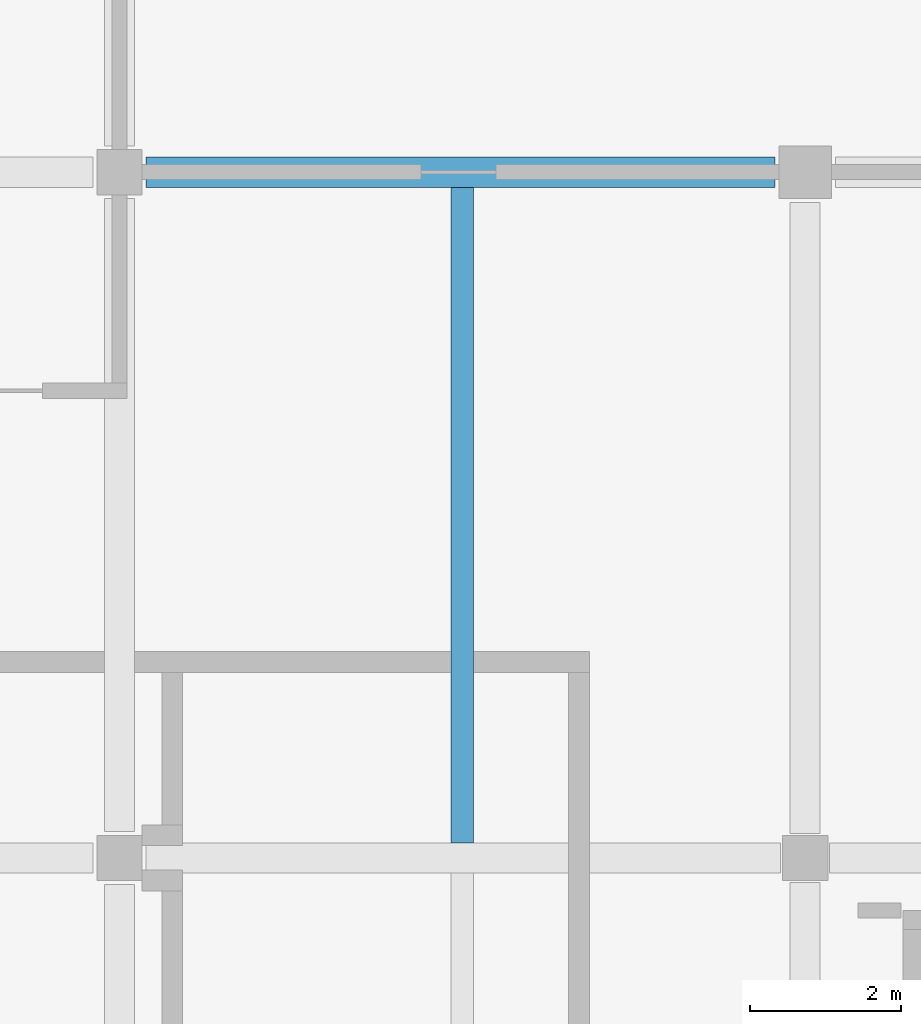
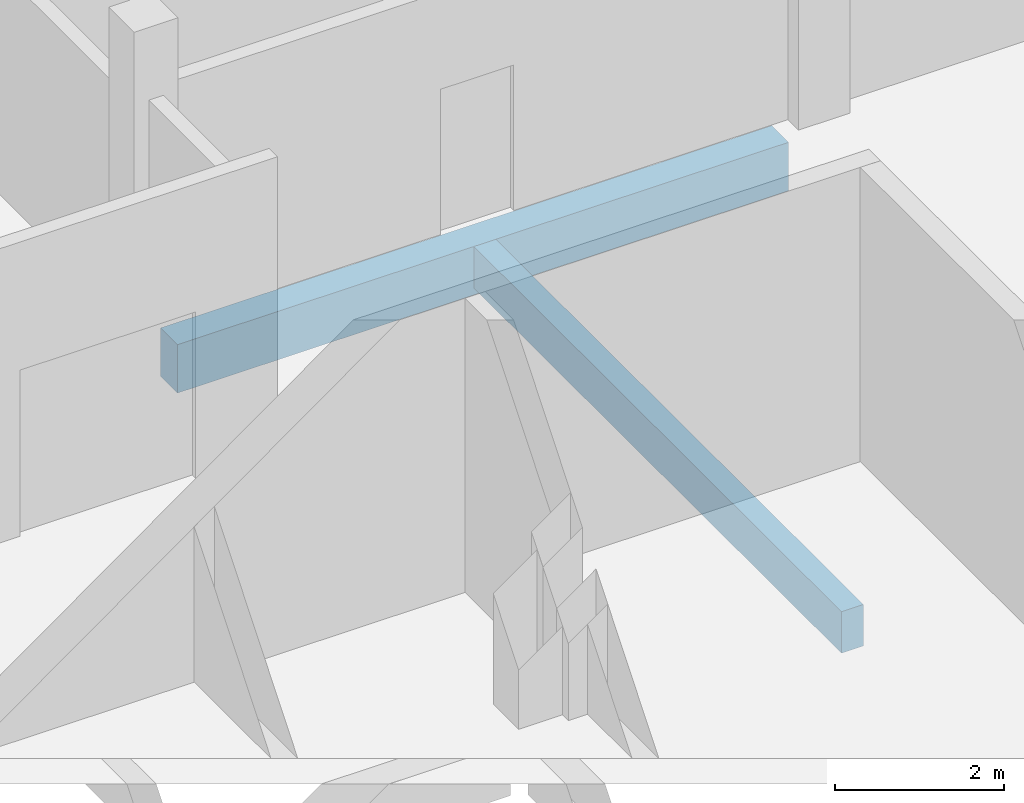
# One storey, part 15 of 124: 2 beams.
"""IFC4 building model written with IfcOpenShell, lengths in metres."""

from ifc_helpers import new_model, si_unit, direction, frame, origin, origin_2d, place, context, subcontext, project, spatial, rectangle, extrude, material, material_profile, profile_set, type_object, element, save


model = new_model("IFC4")

# Units and contexts
model_context = context("Model", 3, precision=1e-05, world=origin(), true_north=direction((0.0, 1.0)))
body_context = subcontext(model_context, "Body", "Model", "MODEL_VIEW")
ifc_project = project(units=[si_unit("LENGTHUNIT", "METRE"), si_unit("AREAUNIT", "SQUARE_METRE"), si_unit("VOLUMEUNIT", "CUBIC_METRE"), si_unit("PLANEANGLEUNIT", "RADIAN"), si_unit("MASSUNIT", "GRAM", prefix="KILO")], contexts=[model_context])

# Site, building, storey
site_placement = place(None, origin())
site = spatial("IfcSite", under=ifc_project, at=site_placement, CompositionType="ELEMENT")
building_placement = place(site_placement, origin())
building = spatial("IfcBuilding", under=site, at=building_placement, Name="Shirokan Park Arena", CompositionType="ELEMENT")
storey_placement = place(building_placement, frame((0.0, 0.0, 20.02001953125)))
storey = spatial("IfcBuildingStorey", under=building, at=storey_placement, Name="L04", CompositionType="ELEMENT", Elevation=20.02001953125)

# Beams
ifc_material = material(Name="Concrete C35", Category="concrete")
ifc_material_profile_1 = material_profile(ifc_material, rectangle(XDim=0.39990234375, YDim=0.699951171875, at=origin_2d()), Name="400x700")
ifc_profile_set_1 = profile_set([ifc_material_profile_1], Name="Concrete C35")
beam_type_1 = type_object("IfcBeamType", Name="RC girder 400x700", PredefinedType="BEAM", material=ifc_profile_set_1)
beam_1_placement = place(storey_placement, frame((9.4501953125, 36.39990234375, -0.60009765625), z_axis=(1.0, 0.0, 0.0), x_axis=(0.0, 1.0, 0.0)))
element("IfcBeam", 1, at=beam_1_placement, inside=storey, type_object=beam_type_1, Name="Girder 2E-3E L04", PredefinedType="BEAM", context=body_context, shape_type="SweptSolid", body=[
    extrude(rectangle(XDim=0.39990234375, YDim=0.699951171875, at=origin_2d()), origin(), (0.0, 0.0, 1.0), 8.349609375),
])
ifc_material_profile_2 = material_profile(ifc_material, rectangle(XDim=0.300048828125, YDim=0.60009765625, at=origin_2d()), Name="300x600")
ifc_profile_set_2 = profile_set([ifc_material_profile_2], Name="Concrete C35")
beam_type_2 = type_object("IfcBeamType", Name="RC joist 300x600", PredefinedType="JOIST", material=ifc_profile_set_2)
beam_2_placement = place(storey_placement, frame((13.64990234375, 27.5, -0.550048828125), z_axis=(0.0, 1.0, 0.0), x_axis=(-1.0, 0.0, 0.0)))
element("IfcBeam", 2, at=beam_2_placement, inside=storey, type_object=beam_type_2, Name="Joist 2D L04", PredefinedType="JOIST", context=body_context, shape_type="SweptSolid", body=[
    extrude(rectangle(XDim=0.300048828125, YDim=0.60009765625, at=origin_2d()), origin(), (0.0, 0.0, 1.0), 8.699951171875),
])

save(model, "model.ifc")
